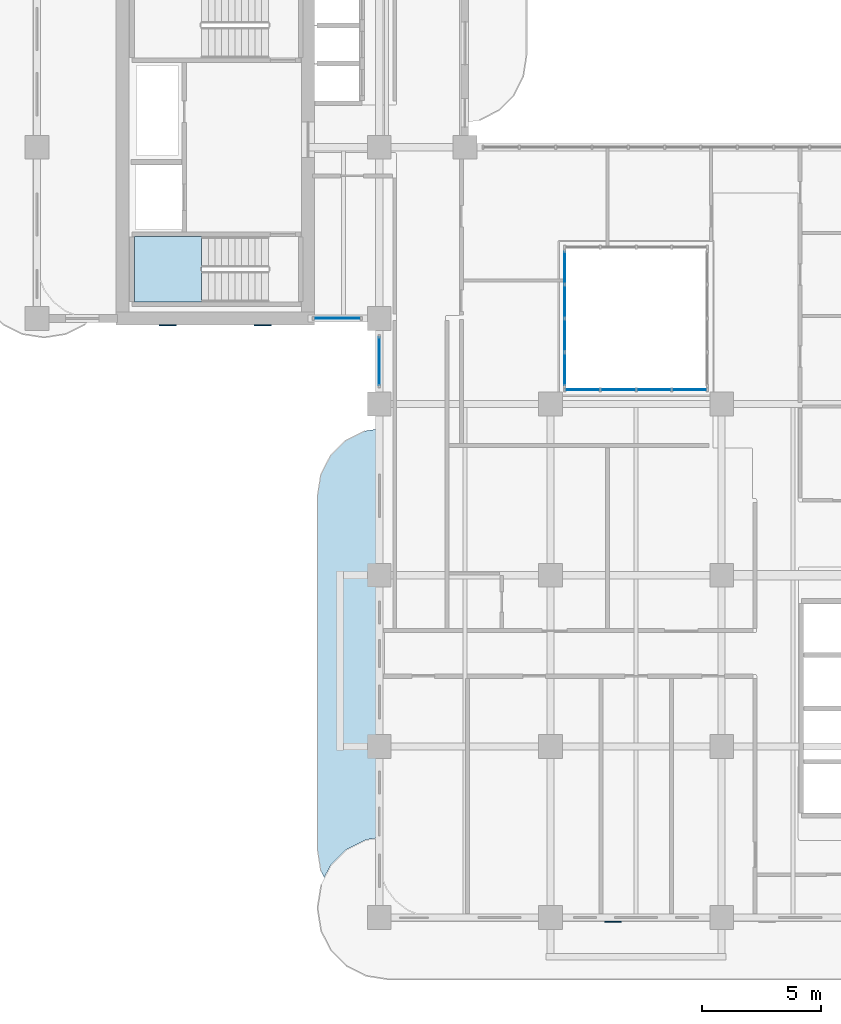
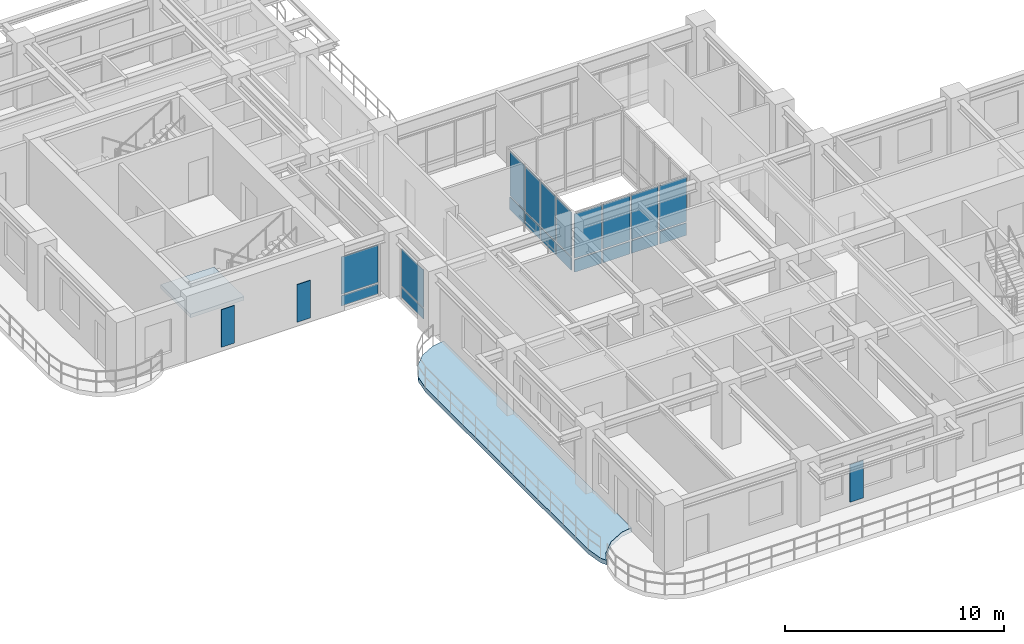
# One storey, part 7 of 20: 23 plates, 2 slabs, 5 elements without a shape of their own.
"""IFC4 building model written with IfcOpenShell, lengths in metres."""

import ifcopenshell
import ifcopenshell.guid

model = None  # the IFC model being written
_history = None  # IfcOwnerHistory: only IFC2X3 demands one
_inside = {}  # id of a spatial element -> (the spatial element, [elements in it])
_under = {}  # id of a project, library or spatial element -> (it, [spatial elements below it])
_declared = {}  # id of a project -> (the project, [libraries it declares])
_typed = {}  # id of a type object -> (the type object, [elements of that type])
_made_of = {}  # id of a material, layer set ... -> (it, [elements and type objects made of it])


def new_model(schema):
    """Start an empty IFC model of exactly this schema.

    Asked for "IFC4X3", IfcOpenShell would pick the latest addendum, in which some entities
    have other attributes; the version numbers below select the first issue.
    IFC2X3 requires an IfcOwnerHistory on every rooted entity: one is made here for all.
    """
    global model, _history
    if schema == "IFC4X3":
        model = ifcopenshell.file(schema_version=(4, 3, 0, 0))
    else:
        model = ifcopenshell.file(schema=schema)
    _inside.clear()
    _under.clear()
    _declared.clear()
    _typed.clear()
    _made_of.clear()
    _history = None
    if model.schema == "IFC2X3":
        org = make("IfcOrganization", Name="unknown")
        user = make(
            "IfcPersonAndOrganization",
            ThePerson=make("IfcPerson", FamilyName="unknown"),
            TheOrganization=org,
        )
        app = make(
            "IfcApplication",
            ApplicationDeveloper=org,
            Version="unknown",
            ApplicationFullName="unknown",
            ApplicationIdentifier="unknown",
        )
        _history = make(
            "IfcOwnerHistory",
            OwningUser=user,
            OwningApplication=app,
            ChangeAction="ADDED",
            CreationDate=0,
        )
    return model


def make(cls, **values):
    """One entity of the class cls with the attributes given. An attribute that is None is left unset."""
    return model.create_entity(
        cls, **{name: value for name, value in values.items() if value is not None}
    )


def rooted(cls, **values):
    """An entity with a GlobalId (a new one), such as an element, a storey or a relation."""
    return make(cls, GlobalId=ifcopenshell.guid.new(), OwnerHistory=_history, **values)


def si_unit(unit_type, name, prefix=None):
    """IfcSIUnit, for example si_unit("LENGTHUNIT", "METRE", prefix="MILLI")."""
    return make("IfcSIUnit", UnitType=unit_type, Prefix=prefix, Name=name)


def derived_unit(unit_type, elements):
    """IfcDerivedUnit: a product of units, each with its exponent."""
    return make(
        "IfcDerivedUnit",
        Elements=[
            make("IfcDerivedUnitElement", Unit=unit, Exponent=power)
            for unit, power in elements
        ],
        UnitType=unit_type,
    )


def assignment(units):
    """IfcUnitAssignment: the units of a project."""
    return None if units is None else make("IfcUnitAssignment", Units=units)


def point(xyz):
    """IfcCartesianPoint."""
    return None if xyz is None else make("IfcCartesianPoint", Coordinates=xyz)


def direction(xyz):
    """IfcDirection."""
    return None if xyz is None else make("IfcDirection", DirectionRatios=xyz)


def frame(location, z_axis=None, x_axis=None):
    """IfcAxis2Placement3D, a coordinate frame: its origin and axes. An axis left out is left unset."""
    return make(
        "IfcAxis2Placement3D",
        Location=point(location),
        Axis=direction(z_axis),
        RefDirection=direction(x_axis),
    )


def frame_2d(location, x_axis=None):
    """IfcAxis2Placement2D, a coordinate frame in the plane: its origin and x axis."""
    return make(
        "IfcAxis2Placement2D", Location=point(location), RefDirection=direction(x_axis)
    )


def origin():
    """The frame at (0, 0, 0) with its axes left unset."""
    return frame((0.0, 0.0, 0.0))


def origin_2d():
    """The frame at (0, 0) in the plane with its x axis left unset."""
    return frame_2d((0.0, 0.0))


def place(relative_to, where):
    """IfcLocalPlacement: puts the frame where relative to a parent placement (None: the world)."""
    return make(
        "IfcLocalPlacement", PlacementRelTo=relative_to, RelativePlacement=where
    )


def context(
    kind, dimensions, precision=None, world=None, true_north=None, identifier=None
):
    """IfcGeometricRepresentationContext, for example the 3D "Model" context."""
    return make(
        "IfcGeometricRepresentationContext",
        ContextIdentifier=identifier,
        ContextType=kind,
        CoordinateSpaceDimension=dimensions,
        Precision=precision,
        WorldCoordinateSystem=world,
        TrueNorth=true_north,
    )


def subcontext(parent, identifier, kind, view, scale=None):
    """IfcGeometricRepresentationSubContext, for example "Body" below "Model"."""
    return make(
        "IfcGeometricRepresentationSubContext",
        ContextIdentifier=identifier,
        ContextType=kind,
        ParentContext=parent,
        TargetScale=scale,
        TargetView=view,
    )


def project(units=None, contexts=None):
    """IfcProject with its units and contexts."""
    return rooted(
        "IfcProject",
        Name="project",
        RepresentationContexts=contexts,
        UnitsInContext=assignment(units),
    )


def spatial(cls, under=None, at=None, **own):
    """A site, building, storey or space (cls), placed at a placement, below another one or the project."""
    s = rooted(cls, ObjectPlacement=at, **own)
    if under is not None:
        _under.setdefault(under.id(), (under, []))[1].append(s)
    return s


def polyline(points):
    """IfcPolyline through the points."""
    return make("IfcPolyline", Points=[point(p) for p in points])


def profile(cls, at=None, kind="AREA", **sizes):
    """A parametric profile (cls). Its sizes go by their IFC names, for example OverallWidth=200.0."""
    return make(cls, ProfileType=kind, Position=at, **sizes)


def rectangle(**sizes):
    """IfcRectangleProfileDef."""
    return profile("IfcRectangleProfileDef", **sizes)


def outline(outer, holes=None, kind="AREA"):
    """IfcArbitraryClosedProfileDef: a profile drawn as a closed curve; with holes, ...WithVoids."""
    if holes is None:
        return make("IfcArbitraryClosedProfileDef", ProfileType=kind, OuterCurve=outer)
    return make(
        "IfcArbitraryProfileDefWithVoids",
        ProfileType=kind,
        OuterCurve=outer,
        InnerCurves=holes,
    )


def extrude(swept, where, along, depth):
    """IfcExtrudedAreaSolid: the profile swept, set in the frame where, extruded along a direction by depth."""
    return make(
        "IfcExtrudedAreaSolid",
        SweptArea=swept,
        Position=where,
        ExtrudedDirection=direction(along),
        Depth=depth,
    )


def shape(context_of_items, identifier, shape_type, items):
    """IfcShapeRepresentation: the items that make up one representation, for example the "Body"."""
    return make(
        "IfcShapeRepresentation",
        ContextOfItems=context_of_items,
        RepresentationIdentifier=identifier,
        RepresentationType=shape_type,
        Items=items,
    )


def source(mapping_origin, context_of_items, identifier, shape_type, items):
    """IfcRepresentationMap: a shape defined once, which mapped items show again and again."""
    return make(
        "IfcRepresentationMap",
        MappingOrigin=mapping_origin,
        MappedRepresentation=shape(context_of_items, identifier, shape_type, items),
    )


def transform(
    local_origin,
    x_axis=None,
    y_axis=None,
    z_axis=None,
    scale=None,
    scale2=None,
    scale3=None,
    uniform=True,
):
    """IfcCartesianTransformationOperator3D, or its non-uniform kind. x_axis, y_axis, z_axis: its Axis1, 2, 3."""
    if uniform:
        return make(
            "IfcCartesianTransformationOperator3D",
            Axis1=direction(x_axis),
            Axis2=direction(y_axis),
            LocalOrigin=point(local_origin),
            Scale=scale,
            Axis3=direction(z_axis),
        )
    return make(
        "IfcCartesianTransformationOperator3DnonUniform",
        Axis1=direction(x_axis),
        Axis2=direction(y_axis),
        LocalOrigin=point(local_origin),
        Scale=scale,
        Axis3=direction(z_axis),
        Scale2=scale2,
        Scale3=scale3,
    )


def mapped(mapping_source, mapping_target):
    """IfcMappedItem: shows the shape of a source again, moved by a transform."""
    return make(
        "IfcMappedItem", MappingSource=mapping_source, MappingTarget=mapping_target
    )


def material(Name=None, Category=None):
    """IfcMaterial."""
    return make("IfcMaterial", Name=Name, Category=Category)


def layer(
    of_material, thickness, ventilated=None, Name=None, Category=None, Priority=None
):
    """IfcMaterialLayer: one layer of a wall or slab, of a material (None: an air gap)."""
    return make(
        "IfcMaterialLayer",
        Material=of_material,
        LayerThickness=thickness,
        IsVentilated=ventilated,
        Name=Name,
        Category=Category,
        Priority=Priority,
    )


def layer_set(layers, Name=None):
    """IfcMaterialLayerSet."""
    return make("IfcMaterialLayerSet", MaterialLayers=layers, LayerSetName=Name)


def made_of(thing, what):
    """Note that an element or type object is made of a material, layer set ...; save() writes the relation."""
    if what is not None:
        _made_of.setdefault(what.id(), (what, []))[1].append(thing)
    return thing


def type_object(cls, material=None, **own):
    """A type object (cls), such as IfcWallType, which elements share."""
    return made_of(rooted(cls, **own), material)


def type_shapes(of_type, sources):
    """Give a type object the sources (RepresentationMaps) that its elements show as mapped items."""
    of_type.RepresentationMaps = sources


def element(
    cls,
    number,
    at=None,
    inside=None,
    cuts=None,
    type_object=None,
    material=None,
    context=None,
    identifier="Body",
    shape_type=None,
    held_by="IfcProductDefinitionShape",
    body=None,
    shapes=None,
    **own,
):
    """One element of the class cls, such as IfcWall. Its Tag is "e" and its number.

    at: its placement. inside: the storey or other place that contains it. cuts: it is an
    opening in that element (IfcRelVoidsElement). A single representation is given by context,
    identifier, shape_type and body (its items); several are given by shapes. held_by: the class
    of the entity that holds the representations. save() writes the other relations.
    """
    e = rooted(cls, Tag="e%d" % number, ObjectPlacement=at, **own)
    if body is not None:
        shapes = [shape(context, identifier, shape_type, body)]
    if shapes is not None:
        e.Representation = make(held_by, Representations=shapes)
    if inside is not None:
        _inside.setdefault(inside.id(), (inside, []))[1].append(e)
    if cuts is not None:
        rooted(
            "IfcRelVoidsElement", RelatingBuildingElement=cuts, RelatedOpeningElement=e
        )
    if type_object is not None:
        _typed.setdefault(type_object.id(), (type_object, []))[1].append(e)
    return made_of(e, material)


def aggregate(whole, parts):
    """IfcRelAggregates: a whole, such as a stair, and the parts it consists of."""
    return rooted("IfcRelAggregates", RelatingObject=whole, RelatedObjects=parts)


def save(model, path):
    """Write the relations noted so far, then the file.

    IfcRelAggregates (storeys below a building ...), IfcRelContainedInSpatialStructure (elements
    in a storey), IfcRelDefinesByType, IfcRelAssociatesMaterial and IfcRelDeclares: one each for
    every whole, place, type object, material and project.
    """
    for whole, parts in _under.values():
        aggregate(whole, parts)
    for where, things in _inside.values():
        rooted(
            "IfcRelContainedInSpatialStructure",
            RelatedElements=things,
            RelatingStructure=where,
        )
    for kind, things in _typed.values():
        rooted("IfcRelDefinesByType", RelatedObjects=things, RelatingType=kind)
    for what, things in _made_of.values():
        rooted("IfcRelAssociatesMaterial", RelatedObjects=things, RelatingMaterial=what)
    for by, libraries in _declared.values():
        rooted("IfcRelDeclares", RelatingContext=by, RelatedDefinitions=libraries)
    model.write(path)


model = new_model("IFC4")

# Units and contexts
model_context = context("Model", 3, precision=1e-05, world=origin(), true_north=direction((0.0, 1.0)))
body_context = subcontext(model_context, "Body", "Model", "MODEL_VIEW")
ifc_project = project(units=[si_unit("LENGTHUNIT", "METRE"), si_unit("AREAUNIT", "SQUARE_METRE"), si_unit("VOLUMEUNIT", "CUBIC_METRE"), si_unit("PLANEANGLEUNIT", "RADIAN"), si_unit("MASSUNIT", "GRAM", prefix="KILO"), si_unit("THERMODYNAMICTEMPERATUREUNIT", "KELVIN"), si_unit("POWERUNIT", "WATT"), derived_unit("THERMALTRANSMITTANCEUNIT", [(si_unit("POWERUNIT", "WATT"), 1), (si_unit("AREAUNIT", "SQUARE_METRE"), -1), (si_unit("THERMODYNAMICTEMPERATUREUNIT", "KELVIN"), -1)])], contexts=[model_context])

# Site, building, storey
site_placement = place(None, origin())
site = spatial("IfcSite", under=ifc_project, at=site_placement, CompositionType="ELEMENT")
building_placement = place(site_placement, origin())
building = spatial("IfcBuilding", under=site, at=building_placement, Name="Zahravan Archway Hotel and Residences", CompositionType="ELEMENT")
storey_placement = place(building_placement, frame((0.0, 0.0, 137.699951171875)))
storey = spatial("IfcBuildingStorey", under=building, at=storey_placement, Name="L34", CompositionType="ELEMENT", Elevation=137.699951171875)

# Slab
ifc_material_1 = material(Name="Concrete C45/55", Category="concrete")
ifc_layer_1 = layer(ifc_material_1, 0.25, Name="Concrete C45/55", Category="concrete")
ifc_layer_set_1 = layer_set([ifc_layer_1], Name="Concrete C45/55")
slab_type_1 = type_object("IfcSlabType", Name="SLB-BALC-250", PredefinedType="FLOOR", material=ifc_layer_set_1)
slab_1_placement = place(storey_placement, frame((0.0, 0.0, -0.25)))
element("IfcSlab", 1, at=slab_1_placement, inside=storey, type_object=slab_type_1, Name="L34 Wing A West Rounded Balcony Band", PredefinedType="FLOOR", context=body_context, shape_type="SweptSolid", body=[
    extrude(outline(polyline([(11.939453125, 1.96923828125), (11.800048828125, 2.85009765625), (11.800048828125, 17.75), (11.939453125, 18.630615234375), (12.34423828125, 19.42529296875), (12.974853515625, 20.0556640625), (13.769287109375, 20.46044921875), (14.3798828125, 20.55712890625), (14.3798828125, 3.361328125), (14.37890625, 3.361328125), (14.376953125, 3.361083984375), (13.835205078125, 3.275390625), (13.833251953125, 3.27490234375), (13.831298828125, 3.2744140625), (13.829345703125, 3.2734375), (13.0068359375, 2.8544921875), (13.005126953125, 2.853515625), (13.00341796875, 2.85205078125), (13.001953125, 2.8505859375), (12.349365234375, 2.197998046875), (12.347900390625, 2.196533203125), (12.3466796875, 2.19482421875), (12.345703125, 2.193115234375), (12.08544921875, 1.6826171875), (11.939453125, 1.96923828125)])), origin(), (0.0, 0.0, 1.0), 0.25),
])

# Stair, slab
ifc_material_2 = material(Name="Concrete C50/60", Category="concrete")
stair_type = type_object("IfcStairType", Name="STR-CORE-1300", PredefinedType="HALF_TURN_STAIR", material=ifc_material_2)
stair_placement = place(storey_placement, origin())
stair = element("IfcStair", 2, at=stair_placement, inside=storey, type_object=stair_type, Name="L34 Core B Exit Stair 1", PredefinedType="HALF_TURN_STAIR")
ifc_layer_2 = layer(ifc_material_2, 0.199951171875, Name="Concrete C50/60", Category="concrete")
ifc_layer_set_2 = layer_set([ifc_layer_2], Name="Concrete C50/60")
slab_type_2 = type_object("IfcSlabType", Name="SLB-LND-200", PredefinedType="LANDING", material=ifc_layer_set_2)
slab_2_placement = place(storey_placement, frame((0.0, 0.0, 1.650146484375)))
slab_2 = element("IfcSlab", 3, at=slab_2_placement, type_object=slab_type_2, Name="ST-B1 landing 1", PredefinedType="LANDING", context=body_context, shape_type="SweptSolid", body=[
    extrude(outline(polyline([(6.929931640625, 28.639892578125), (4.10009765625, 28.639892578125), (4.10009765625, 25.89990234375), (6.929931640625, 25.89990234375), (6.929931640625, 28.639892578125)])), origin(), (0.0, 0.0, 1.0), 0.199951171875),
])
aggregate(stair, [slab_2])

# Plates
ifc_material_3 = material(Name="Perforated Cast Bronze Jali Lattice")
ifc_layer_3 = layer(ifc_material_3, 0.044921875, Name="Perforated Cast Bronze Jali Lattice")
ifc_layer_set_3 = layer_set([ifc_layer_3], Name="Perforated Cast Bronze Jali Lattice")
plate_type_1 = type_object("IfcPlateType", Name="PLT-JALI-BAY", PredefinedType="USERDEFINED", material=ifc_layer_set_3)
shared_shape_1 = source(origin(), body_context, "Body", "SweptSolid", [
    extrude(rectangle(XDim=0.699951171875, YDim=0.044921875, at=origin_2d()), origin(), (0.0, 0.0, 1.0), 2.10009765625),
])
type_shapes(plate_type_1, [shared_shape_1])
for number, where, z_axis, x_axis, name in (
    (4, (5.5, 24.906982421875, 0.25), (0.0, 0.0, 1.0), (1.0, 0.0, 0.0), "L34 Core B South Mughal Jali Screen 1"),
    (5, (9.5, 24.906982421875, 0.25), (0.0, 0.0, 1.0), (1.0, 0.0, 0.0), "L34 Core B South Mughal Jali Screen 2"),
    (6, (24.22802734375, -0.177978515625, 0.25), (0.0, 0.0, 1.0), (1.0, 0.0, 0.0), "L34 Perforated Bronze Jali Pier Screen 01"),
):
    element("IfcPlate", number, at=place(storey_placement, frame(where, z_axis=z_axis, x_axis=x_axis)), inside=storey, type_object=plate_type_1, Name=name, ObjectType="SCREEN", PredefinedType="USERDEFINED", context=body_context, shape_type="MappedRepresentation", body=[
        mapped(shared_shape_1, transform((0.0, 0.0, 0.0), scale=1.0)),
    ])

# Curtain wall, plates
ifc_material_4 = material(Name="Bronze-Anodized Unitised Aluminium & Low-E Glass", Category="aluminium")
ifc_layer_4 = layer(ifc_material_4, 0.179931640625, Name="Bronze-Anodized Unitised Aluminium & Low-E Glass", Category="aluminium")
ifc_layer_set_4 = layer_set([ifc_layer_4], Name="Bronze-Anodized Unitised Aluminium & Low-E Glass")
curtain_wall_type = type_object("IfcCurtainWallType", Name="CW-ATR-GLAZ", PredefinedType="NOTDEFINED", material=ifc_layer_set_4)
curtain_wall_1_placement = place(storey_placement, origin())
curtain_wall_1 = element("IfcCurtainWall", 7, at=curtain_wall_1_placement, inside=storey, type_object=curtain_wall_type, Name="L34 Curtain Wall CW-ATR-L34-S-1", PredefinedType="NOTDEFINED")
ifc_material_5 = material(Name="Insulated Terracotta Spandrel Panel", Category="masonry")
ifc_layer_5 = layer(ifc_material_5, 0.0400390625, Name="Insulated Terracotta Spandrel Panel", Category="masonry")
ifc_layer_set_5 = layer_set([ifc_layer_5], Name="Insulated Terracotta Spandrel Panel")
plate_type_2 = type_object("IfcPlateType", Name="CWP-SPN-40", PredefinedType="SHEET", material=ifc_layer_set_5)
shared_shape_2 = source(origin(), body_context, "Body", "SweptSolid", [
    extrude(rectangle(XDim=1.419921875, YDim=0.0400390625, at=origin_2d()), origin(), (0.0, 0.0, 1.0), 0.68798828125),
])
plate_1_placement = place(storey_placement, frame((22.949951171875, 22.199951171875, 0.10009765625), z_axis=(0.0, 0.0, 1.0), x_axis=(1.0, 0.0, 0.0)))
plate_1 = element("IfcPlate", 8, at=plate_1_placement, type_object=plate_type_2, Name="CW-ATR-L34-S-1 Spandrel Panel 0", PredefinedType="SHEET", context=body_context, shape_type="MappedRepresentation", body=[
    mapped(shared_shape_2, transform((0.0, 0.0, 0.0), scale=1.0)),
])
plate_2_placement = place(storey_placement, frame((24.449951171875, 22.199951171875, 0.10009765625), z_axis=(0.0, 0.0, 1.0), x_axis=(1.0, 0.0, 0.0)))
plate_2 = element("IfcPlate", 9, at=plate_2_placement, type_object=plate_type_2, Name="CW-ATR-L34-S-1 Spandrel Panel 1", PredefinedType="SHEET", context=body_context, shape_type="MappedRepresentation", body=[
    mapped(shared_shape_2, transform((0.0, 0.0, 0.0), scale=1.0)),
])
plate_3_placement = place(storey_placement, frame((25.949951171875, 22.199951171875, 0.10009765625), z_axis=(0.0, 0.0, 1.0), x_axis=(1.0, 0.0, 0.0)))
plate_3 = element("IfcPlate", 10, at=plate_3_placement, type_object=plate_type_2, Name="CW-ATR-L34-S-1 Spandrel Panel 2", PredefinedType="SHEET", context=body_context, shape_type="MappedRepresentation", body=[
    mapped(shared_shape_2, transform((0.0, 0.0, 0.0), scale=1.0)),
])
plate_4_placement = place(storey_placement, frame((27.449951171875, 22.199951171875, 0.10009765625), z_axis=(0.0, 0.0, 1.0), x_axis=(1.0, 0.0, 0.0)))
plate_4 = element("IfcPlate", 11, at=plate_4_placement, type_object=plate_type_2, Name="CW-ATR-L34-S-1 Spandrel Panel 3", PredefinedType="SHEET", context=body_context, shape_type="MappedRepresentation", body=[
    mapped(shared_shape_2, transform((0.0, 0.0, 0.0), scale=1.0)),
])
ifc_material_6 = material(Name="Double-Silver Low-E Insulated Vision Glass", Category="glass")
ifc_layer_6 = layer(ifc_material_6, 0.028076171875, Name="Double-Silver Low-E Insulated Vision Glass", Category="glass")
ifc_layer_set_6 = layer_set([ifc_layer_6], Name="Double-Silver Low-E Insulated Vision Glass")
plate_type_3 = type_object("IfcPlateType", Name="CWP-GLZ-28", PredefinedType="CURTAIN_PANEL", material=ifc_layer_set_6)
shared_shape_3 = source(origin(), body_context, "Body", "SweptSolid", [
    extrude(rectangle(XDim=1.419921875, YDim=0.028076171875, at=origin_2d()), origin(), (0.0, 0.0, 1.0), 2.48193359375),
])
plate_5_placement = place(storey_placement, frame((22.949951171875, 22.199951171875, 0.8681640625), z_axis=(0.0, 0.0, 1.0), x_axis=(1.0, 0.0, 0.0)))
plate_5 = element("IfcPlate", 12, at=plate_5_placement, type_object=plate_type_3, Name="CW-ATR-L34-S-1 Low-E Vision Panel 0", PredefinedType="CURTAIN_PANEL", context=body_context, shape_type="MappedRepresentation", body=[
    mapped(shared_shape_3, transform((0.0, 0.0, 0.0), scale=1.0)),
])
plate_6_placement = place(storey_placement, frame((24.449951171875, 22.199951171875, 0.8681640625), z_axis=(0.0, 0.0, 1.0), x_axis=(1.0, 0.0, 0.0)))
plate_6 = element("IfcPlate", 13, at=plate_6_placement, type_object=plate_type_3, Name="CW-ATR-L34-S-1 Low-E Vision Panel 1", PredefinedType="CURTAIN_PANEL", context=body_context, shape_type="MappedRepresentation", body=[
    mapped(shared_shape_3, transform((0.0, 0.0, 0.0), scale=1.0)),
])
plate_7_placement = place(storey_placement, frame((25.949951171875, 22.199951171875, 0.8681640625), z_axis=(0.0, 0.0, 1.0), x_axis=(1.0, 0.0, 0.0)))
plate_7 = element("IfcPlate", 14, at=plate_7_placement, type_object=plate_type_3, Name="CW-ATR-L34-S-1 Low-E Vision Panel 2", PredefinedType="CURTAIN_PANEL", context=body_context, shape_type="MappedRepresentation", body=[
    mapped(shared_shape_3, transform((0.0, 0.0, 0.0), scale=1.0)),
])
plate_8_placement = place(storey_placement, frame((27.449951171875, 22.199951171875, 0.8681640625), z_axis=(0.0, 0.0, 1.0), x_axis=(1.0, 0.0, 0.0)))
plate_8 = element("IfcPlate", 15, at=plate_8_placement, type_object=plate_type_3, Name="CW-ATR-L34-S-1 Low-E Vision Panel 3", PredefinedType="CURTAIN_PANEL", context=body_context, shape_type="MappedRepresentation", body=[
    mapped(shared_shape_3, transform((0.0, 0.0, 0.0), scale=1.0)),
])
aggregate(curtain_wall_1, [plate_1, plate_5, plate_2, plate_6, plate_3, plate_7, plate_4, plate_8])

curtain_wall_2_placement = place(storey_placement, origin())
curtain_wall_2 = element("IfcCurtainWall", 16, at=curtain_wall_2_placement, inside=storey, type_object=curtain_wall_type, Name="L34 Curtain Wall CW-ATR-L34-W-1", PredefinedType="NOTDEFINED")
shared_shape_4 = source(origin(), body_context, "Body", "SweptSolid", [
    extrude(rectangle(XDim=1.344970703125, YDim=0.0400390625, at=origin_2d()), origin(), (0.0, 0.0, 1.0), 0.68798828125),
])
plate_9_placement = place(storey_placement, frame((22.199951171875, 23.0625, 0.10009765625), z_axis=(0.0, 0.0, 1.0), x_axis=(0.0, 1.0, 0.0)))
plate_9 = element("IfcPlate", 17, at=plate_9_placement, type_object=plate_type_2, Name="CW-ATR-L34-W-1 Spandrel Panel 0", PredefinedType="SHEET", context=body_context, shape_type="MappedRepresentation", body=[
    mapped(shared_shape_4, transform((0.0, 0.0, 0.0), scale=1.0)),
])
plate_10_placement = place(storey_placement, frame((22.199951171875, 24.487548828125, 0.10009765625), z_axis=(0.0, 0.0, 1.0), x_axis=(0.0, 1.0, 0.0)))
plate_10 = element("IfcPlate", 18, at=plate_10_placement, type_object=plate_type_2, Name="CW-ATR-L34-W-1 Spandrel Panel 1", PredefinedType="SHEET", context=body_context, shape_type="MappedRepresentation", body=[
    mapped(shared_shape_4, transform((0.0, 0.0, 0.0), scale=1.0)),
])
plate_11_placement = place(storey_placement, frame((22.199951171875, 25.91259765625, 0.10009765625), z_axis=(0.0, 0.0, 1.0), x_axis=(0.0, 1.0, 0.0)))
plate_11 = element("IfcPlate", 19, at=plate_11_placement, type_object=plate_type_2, Name="CW-ATR-L34-W-1 Spandrel Panel 2", PredefinedType="SHEET", context=body_context, shape_type="MappedRepresentation", body=[
    mapped(shared_shape_4, transform((0.0, 0.0, 0.0), scale=1.0)),
])
plate_12_placement = place(storey_placement, frame((22.199951171875, 27.33740234375, 0.10009765625), z_axis=(0.0, 0.0, 1.0), x_axis=(0.0, 1.0, 0.0)))
plate_12 = element("IfcPlate", 20, at=plate_12_placement, type_object=plate_type_2, Name="CW-ATR-L34-W-1 Spandrel Panel 3", PredefinedType="SHEET", context=body_context, shape_type="MappedRepresentation", body=[
    mapped(shared_shape_4, transform((0.0, 0.0, 0.0), scale=1.0)),
])
shared_shape_5 = source(origin(), body_context, "Body", "SweptSolid", [
    extrude(rectangle(XDim=1.344970703125, YDim=0.028076171875, at=origin_2d()), origin(), (0.0, 0.0, 1.0), 2.48193359375),
])
plate_13_placement = place(storey_placement, frame((22.199951171875, 23.0625, 0.8681640625), z_axis=(0.0, 0.0, 1.0), x_axis=(0.0, 1.0, 0.0)))
plate_13 = element("IfcPlate", 21, at=plate_13_placement, type_object=plate_type_3, Name="CW-ATR-L34-W-1 Low-E Vision Panel 0", PredefinedType="CURTAIN_PANEL", context=body_context, shape_type="MappedRepresentation", body=[
    mapped(shared_shape_5, transform((0.0, 0.0, 0.0), scale=1.0)),
])
plate_14_placement = place(storey_placement, frame((22.199951171875, 24.487548828125, 0.8681640625), z_axis=(0.0, 0.0, 1.0), x_axis=(0.0, 1.0, 0.0)))
plate_14 = element("IfcPlate", 22, at=plate_14_placement, type_object=plate_type_3, Name="CW-ATR-L34-W-1 Low-E Vision Panel 1", PredefinedType="CURTAIN_PANEL", context=body_context, shape_type="MappedRepresentation", body=[
    mapped(shared_shape_5, transform((0.0, 0.0, 0.0), scale=1.0)),
])
plate_15_placement = place(storey_placement, frame((22.199951171875, 25.91259765625, 0.8681640625), z_axis=(0.0, 0.0, 1.0), x_axis=(0.0, 1.0, 0.0)))
plate_15 = element("IfcPlate", 23, at=plate_15_placement, type_object=plate_type_3, Name="CW-ATR-L34-W-1 Low-E Vision Panel 2", PredefinedType="CURTAIN_PANEL", context=body_context, shape_type="MappedRepresentation", body=[
    mapped(shared_shape_5, transform((0.0, 0.0, 0.0), scale=1.0)),
])
plate_16_placement = place(storey_placement, frame((22.199951171875, 27.33740234375, 0.8681640625), z_axis=(0.0, 0.0, 1.0), x_axis=(0.0, 1.0, 0.0)))
plate_16 = element("IfcPlate", 24, at=plate_16_placement, type_object=plate_type_3, Name="CW-ATR-L34-W-1 Low-E Vision Panel 3", PredefinedType="CURTAIN_PANEL", context=body_context, shape_type="MappedRepresentation", body=[
    mapped(shared_shape_5, transform((0.0, 0.0, 0.0), scale=1.0)),
])
aggregate(curtain_wall_2, [plate_9, plate_13, plate_10, plate_14, plate_11, plate_15, plate_12, plate_16])

curtain_wall_3_placement = place(storey_placement, origin())
curtain_wall_3 = element("IfcCurtainWall", 25, at=curtain_wall_3_placement, inside=storey, type_object=curtain_wall_type, Name="L34 Curtain Wall CW-L34-WA-WLU-1", PredefinedType="NOTDEFINED")
shared_shape_6 = source(origin(), body_context, "Body", "SweptSolid", [
    extrude(rectangle(XDim=2.0, YDim=0.0400390625, at=origin_2d()), origin(), (0.0, 0.0, 1.0), 0.564453125),
])
plate_17_placement = place(storey_placement, frame((14.39990234375, 23.39990234375, 0.10009765625), z_axis=(0.0, 0.0, 1.0), x_axis=(0.0, 1.0, 0.0)))
plate_17 = element("IfcPlate", 26, at=plate_17_placement, type_object=plate_type_2, Name="CW-L34-WA-WLU-1 Spandrel Panel 0", PredefinedType="SHEET", context=body_context, shape_type="MappedRepresentation", body=[
    mapped(shared_shape_6, transform((0.0, 0.0, 0.0), scale=1.0)),
])
shared_shape_7 = source(origin(), body_context, "Body", "SweptSolid", [
    extrude(rectangle(XDim=2.0, YDim=0.028076171875, at=origin_2d()), origin(), (0.0, 0.0, 1.0), 2.090576171875),
])
plate_18_placement = place(storey_placement, frame((14.39990234375, 23.39990234375, 0.74462890625), z_axis=(0.0, 0.0, 1.0), x_axis=(0.0, 1.0, 0.0)))
plate_18 = element("IfcPlate", 27, at=plate_18_placement, type_object=plate_type_3, Name="CW-L34-WA-WLU-1 Low-E Vision Panel 0", PredefinedType="CURTAIN_PANEL", context=body_context, shape_type="MappedRepresentation", body=[
    mapped(shared_shape_7, transform((0.0, 0.0, 0.0), scale=1.0)),
])
aggregate(curtain_wall_3, [plate_17, plate_18])

curtain_wall_4_placement = place(storey_placement, origin())
curtain_wall_4 = element("IfcCurtainWall", 28, at=curtain_wall_4_placement, inside=storey, type_object=curtain_wall_type, Name="L34 Curtain Wall CW-L34-WB-SE-1", PredefinedType="NOTDEFINED")
shared_shape_8 = source(origin(), body_context, "Body", "SweptSolid", [
    extrude(rectangle(XDim=1.93994140625, YDim=0.0400390625, at=origin_2d()), origin(), (0.0, 0.0, 1.0), 0.564453125),
])
plate_19_placement = place(storey_placement, frame((12.6298828125, 25.199951171875, 0.10009765625), z_axis=(0.0, 0.0, 1.0), x_axis=(1.0, 0.0, 0.0)))
plate_19 = element("IfcPlate", 29, at=plate_19_placement, type_object=plate_type_2, Name="CW-L34-WB-SE-1 Spandrel Panel 0", PredefinedType="SHEET", context=body_context, shape_type="MappedRepresentation", body=[
    mapped(shared_shape_8, transform((0.0, 0.0, 0.0), scale=1.0)),
])
shared_shape_9 = source(origin(), body_context, "Body", "SweptSolid", [
    extrude(rectangle(XDim=1.93994140625, YDim=0.028076171875, at=origin_2d()), origin(), (0.0, 0.0, 1.0), 2.090576171875),
])
plate_20_placement = place(storey_placement, frame((12.6298828125, 25.199951171875, 0.74462890625), z_axis=(0.0, 0.0, 1.0), x_axis=(1.0, 0.0, 0.0)))
plate_20 = element("IfcPlate", 30, at=plate_20_placement, type_object=plate_type_3, Name="CW-L34-WB-SE-1 Low-E Vision Panel 0", PredefinedType="CURTAIN_PANEL", context=body_context, shape_type="MappedRepresentation", body=[
    mapped(shared_shape_9, transform((0.0, 0.0, 0.0), scale=1.0)),
])
aggregate(curtain_wall_4, [plate_19, plate_20])

save(model, "model.ifc")
